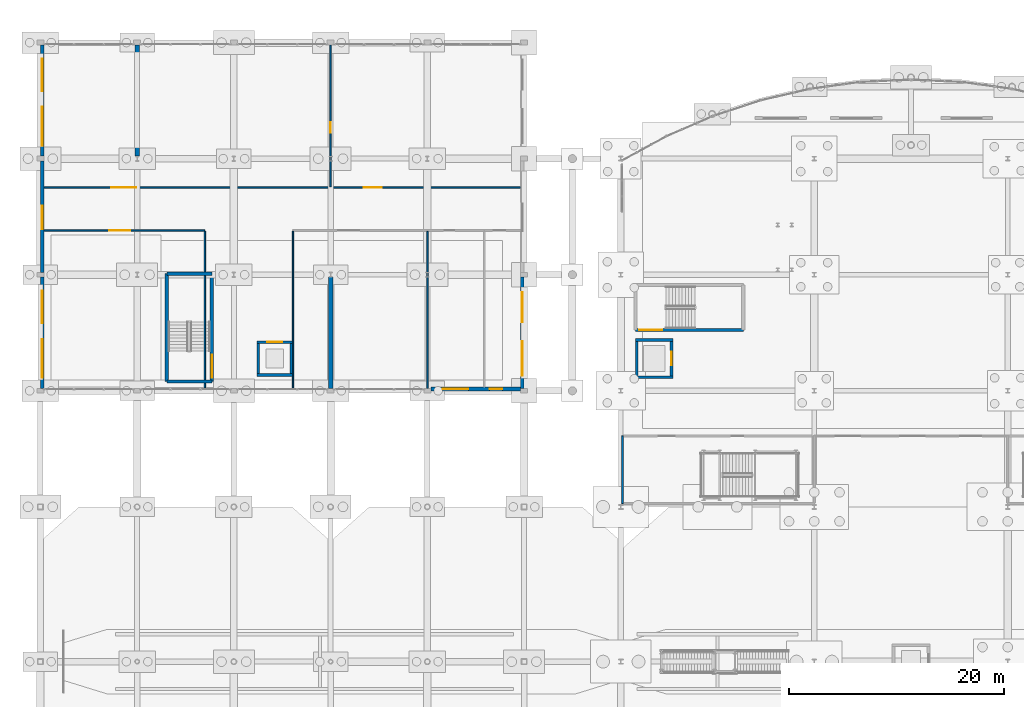
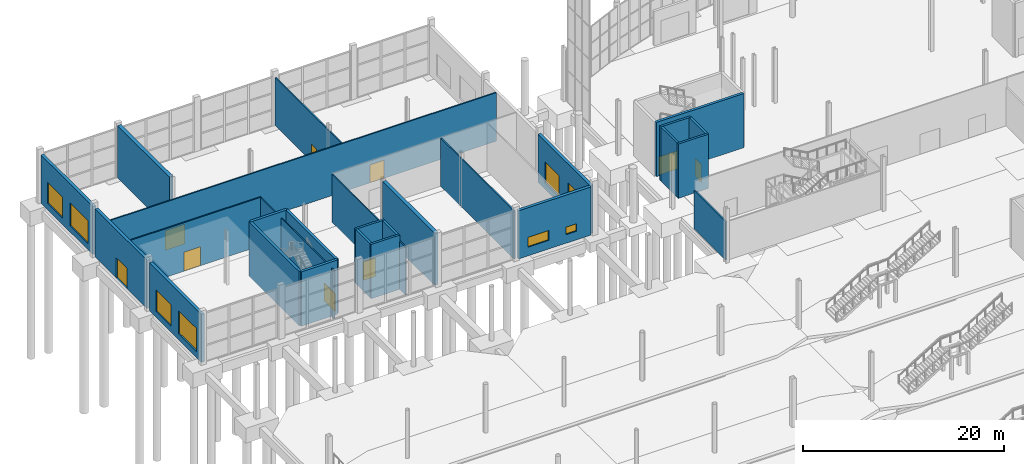
# One storey, part 88 of 115: 27 walls, 9 doors, 8 windows, 17 openings.
"""IFC4 building model written with IfcOpenShell, lengths in metres."""

from ifc_helpers import new_model, si_unit, direction, frame, frame_2d, origin, place, context, subcontext, project, spatial, rectangle, extrude, material, layer, layer_set, type_object, element, fill, save


model = new_model("IFC4")

# Units and contexts
model_context = context("Model", 3, precision=1e-05, world=origin(), true_north=direction((0.0, 1.0)))
body_context = subcontext(model_context, "Body", "Model", "MODEL_VIEW")
ifc_project = project(units=[si_unit("LENGTHUNIT", "METRE"), si_unit("AREAUNIT", "SQUARE_METRE"), si_unit("VOLUMEUNIT", "CUBIC_METRE"), si_unit("PLANEANGLEUNIT", "RADIAN"), si_unit("MASSUNIT", "GRAM", prefix="KILO")], contexts=[model_context])

# Site, building, storey
site_placement = place(None, origin())
site = spatial("IfcSite", under=ifc_project, at=site_placement, CompositionType="ELEMENT")
building_placement = place(site_placement, origin())
building = spatial("IfcBuilding", under=site, at=building_placement, Name="Tamarisk Ironworks Central Station", CompositionType="ELEMENT")
storey_placement = place(building_placement, origin())
storey = spatial("IfcBuildingStorey", under=building, at=storey_placement, Name="L00", CompositionType="ELEMENT", Elevation=0.0)

# Wall, openings, windows
ifc_material_1 = material(Name="Clay facing brickwork and mortar", Category="masonry")
ifc_layer_1 = layer(ifc_material_1, 0.340087890625)
ifc_layer_set_1 = layer_set([ifc_layer_1], Name="Clay facing brickwork and mortar")
wall_type_1 = type_object("IfcWallType", Name="WL-BR340", PredefinedType="STANDARD", material=ifc_layer_set_1)
wall_1_placement = place(storey_placement, frame((36.322998046875, 90.169921875, 0.0), z_axis=(0.0, 0.0, 1.0), x_axis=(1.0, 0.0, 0.0)))
wall_1 = element("IfcWall", 1, at=wall_1_placement, inside=storey, type_object=wall_type_1, Name="L00 brick facade wall 0023", PredefinedType="STANDARD", context=body_context, shape_type="SweptSolid", body=[
    extrude(rectangle(XDim=8.35400390625, YDim=0.340087890625, at=frame_2d((4.177001953125, 0.0))), origin(), (0.0, 0.0, 1.0), 5.85009765625),
])
opening_1_placement = place(wall_1_placement, frame((1.087890625, 0.0, 1.050048828125)))
opening_1 = element("IfcOpeningElement", 2, at=opening_1_placement, cuts=wall_1, Name="Opening W17", PredefinedType="OPENING", context=body_context, shape_type="SweptSolid", body=[
    extrude(rectangle(XDim=2.39990234375, YDim=1.199951171875, at=frame_2d((1.199951171875, 0.60009765625))), frame((0.0, 0.18212890625, 0.0), z_axis=(0.0, -1.0, 0.0), x_axis=(1.0, 0.0, 0.0)), (0.0, 0.0, 1.0), 0.364013671875),
])
opening_2_placement = place(wall_1_placement, frame((5.465087890625, 0.0, 1.050048828125)))
opening_2 = element("IfcOpeningElement", 3, at=opening_2_placement, cuts=wall_1, Name="Opening W19", PredefinedType="OPENING", context=body_context, shape_type="SweptSolid", body=[
    extrude(rectangle(XDim=1.199951171875, YDim=0.89990234375, at=frame_2d((0.60009765625, 0.449951171875))), frame((0.0, 0.18212890625, 0.0), z_axis=(0.0, -1.0, 0.0), x_axis=(1.0, 0.0, 0.0)), (0.0, 0.0, 1.0), 0.364013671875),
])
ifc_material_2 = material(Name="Laminated solar-control low-E glass", Category="glass")
window_type_1 = type_object("IfcWindowType", Name="WN-17", PartitioningType="SINGLE_PANEL", PredefinedType="WINDOW", material=ifc_material_2)
window_1_placement = place(opening_1_placement, origin())
window_1 = element("IfcWindow", 4, at=window_1_placement, inside=storey, type_object=window_type_1, Name="L00 exterior window 0020", OverallHeight=1.199951171875, OverallWidth=2.39990234375, PartitioningType="DOUBLE_PANEL_VERTICAL", PredefinedType="WINDOW", context=body_context, shape_type="SweptSolid", body=[
    extrude(rectangle(XDim=2.39990234375, YDim=1.199951171875, at=frame_2d((1.199951171875, 0.60009765625))), frame((0.0, 0.030029296875, 0.0), z_axis=(0.0, -1.0, 0.0), x_axis=(1.0, 0.0, 0.0)), (0.0, 0.0, 1.0), 0.06005859375),
])
fill(opening_1, window_1)
window_type_2 = type_object("IfcWindowType", Name="WN-19", PartitioningType="SINGLE_PANEL", PredefinedType="WINDOW", material=ifc_material_2)
window_2_placement = place(opening_2_placement, origin())
window_2 = element("IfcWindow", 5, at=window_2_placement, inside=storey, type_object=window_type_2, Name="L00 exterior window 0021", OverallHeight=0.89990234375, OverallWidth=1.199951171875, PartitioningType="DOUBLE_PANEL_VERTICAL", PredefinedType="WINDOW", context=body_context, shape_type="SweptSolid", body=[
    extrude(rectangle(XDim=1.199951171875, YDim=0.89990234375, at=frame_2d((0.60009765625, 0.449951171875))), frame((0.0, 0.030029296875, 0.0), z_axis=(0.0, -1.0, 0.0), x_axis=(1.0, 0.0, 0.0)), (0.0, 0.0, 1.0), 0.06005859375),
])
fill(opening_2, window_2)

wall_2_placement = place(storey_placement, frame((0.169921875, 90.222900390625, 0.0), z_axis=(0.0, 0.0, 1.0), x_axis=(0.0, 1.0, 0.0)))
wall_2 = element("IfcWall", 6, at=wall_2_placement, inside=storey, type_object=wall_type_1, Name="L00 brick facade wall 0024", PredefinedType="STANDARD", context=body_context, shape_type="SweptSolid", body=[
    extrude(rectangle(XDim=10.35400390625, YDim=0.340087890625, at=frame_2d((5.177001953125, 0.0))), origin(), (0.0, 0.0, 1.0), 5.85009765625),
])
opening_3_placement = place(wall_2_placement, frame((0.988037109375, 0.0, 0.75)))
opening_3 = element("IfcOpeningElement", 7, at=opening_3_placement, cuts=wall_2, Name="Opening W01", PredefinedType="OPENING", context=body_context, shape_type="SweptSolid", body=[
    extrude(rectangle(XDim=3.60009765625, YDim=2.800048828125, at=frame_2d((1.800048828125, 1.39990234375))), frame((0.0, 0.18212890625, 0.0), z_axis=(0.0, -1.0, 0.0), x_axis=(1.0, 0.0, 0.0)), (0.0, 0.0, 1.0), 0.364013671875),
])
opening_4_placement = place(wall_2_placement, frame((6.06494140625, 0.0, 0.75)))
opening_4 = element("IfcOpeningElement", 8, at=opening_4_placement, cuts=wall_2, Name="Opening W03", PredefinedType="OPENING", context=body_context, shape_type="SweptSolid", body=[
    extrude(rectangle(XDim=3.0, YDim=2.60009765625, at=frame_2d((1.5, 1.300048828125))), frame((0.0, 0.18212890625, 0.0), z_axis=(0.0, -1.0, 0.0), x_axis=(1.0, 0.0, 0.0)), (0.0, 0.0, 1.0), 0.364013671875),
])
window_type_3 = type_object("IfcWindowType", Name="WN-01", PartitioningType="SINGLE_PANEL", PredefinedType="WINDOW", material=ifc_material_2)
window_3_placement = place(opening_3_placement, origin())
window_3 = element("IfcWindow", 9, at=window_3_placement, inside=storey, type_object=window_type_3, Name="L00 exterior window 0022", OverallHeight=2.800048828125, OverallWidth=3.60009765625, PartitioningType="DOUBLE_PANEL_VERTICAL", PredefinedType="WINDOW", context=body_context, shape_type="SweptSolid", body=[
    extrude(rectangle(XDim=3.60009765625, YDim=2.800048828125, at=frame_2d((1.800048828125, 1.39990234375))), frame((0.0, 0.030029296875, 0.0), z_axis=(0.0, -1.0, 0.0), x_axis=(1.0, 0.0, 0.0)), (0.0, 0.0, 1.0), 0.06005859375),
])
fill(opening_3, window_3)
window_type_4 = type_object("IfcWindowType", Name="WN-03", PartitioningType="SINGLE_PANEL", PredefinedType="WINDOW", material=ifc_material_2)
window_4_placement = place(opening_4_placement, origin())
window_4 = element("IfcWindow", 10, at=window_4_placement, inside=storey, type_object=window_type_4, Name="L00 exterior window 0023", OverallHeight=2.60009765625, OverallWidth=3.0, PartitioningType="DOUBLE_PANEL_VERTICAL", PredefinedType="WINDOW", context=body_context, shape_type="SweptSolid", body=[
    extrude(rectangle(XDim=3.0, YDim=2.60009765625, at=frame_2d((1.5, 1.300048828125))), frame((0.0, 0.030029296875, 0.0), z_axis=(0.0, -1.0, 0.0), x_axis=(1.0, 0.0, 0.0)), (0.0, 0.0, 1.0), 0.06005859375),
])
fill(opening_4, window_4)

wall_3_placement = place(storey_placement, frame((44.830078125, 90.222900390625, 0.0), z_axis=(0.0, 0.0, 1.0), x_axis=(0.0, 1.0, 0.0)))
wall_3 = element("IfcWall", 11, at=wall_3_placement, inside=storey, type_object=wall_type_1, Name="L00 brick facade wall 0025", PredefinedType="STANDARD", context=body_context, shape_type="SweptSolid", body=[
    extrude(rectangle(XDim=10.35400390625, YDim=0.340087890625, at=frame_2d((5.177001953125, 0.0))), origin(), (0.0, 0.0, 1.0), 5.85009765625),
])
opening_5_placement = place(wall_3_placement, frame((1.18798828125, 0.0, 0.75)))
opening_5 = element("IfcOpeningElement", 12, at=opening_5_placement, cuts=wall_3, Name="Opening W02", PredefinedType="OPENING", context=body_context, shape_type="SweptSolid", body=[
    extrude(rectangle(XDim=3.199951171875, YDim=2.800048828125, at=frame_2d((1.60009765625, 1.39990234375))), frame((0.0, 0.18212890625, 0.0), z_axis=(0.0, -1.0, 0.0), x_axis=(1.0, 0.0, 0.0)), (0.0, 0.0, 1.0), 0.364013671875),
])
opening_6_placement = place(wall_3_placement, frame((6.1650390625, 0.0, 0.75)))
opening_6 = element("IfcOpeningElement", 13, at=opening_6_placement, cuts=wall_3, Name="Opening W04", PredefinedType="OPENING", context=body_context, shape_type="SweptSolid", body=[
    extrude(rectangle(XDim=2.800048828125, YDim=2.60009765625, at=frame_2d((1.39990234375, 1.300048828125))), frame((0.0, 0.18212890625, 0.0), z_axis=(0.0, -1.0, 0.0), x_axis=(1.0, 0.0, 0.0)), (0.0, 0.0, 1.0), 0.364013671875),
])
window_type_5 = type_object("IfcWindowType", Name="WN-02", PartitioningType="SINGLE_PANEL", PredefinedType="WINDOW", material=ifc_material_2)
window_5_placement = place(opening_5_placement, origin())
window_5 = element("IfcWindow", 14, at=window_5_placement, inside=storey, type_object=window_type_5, Name="L00 exterior window 0024", OverallHeight=2.800048828125, OverallWidth=3.199951171875, PartitioningType="DOUBLE_PANEL_VERTICAL", PredefinedType="WINDOW", context=body_context, shape_type="SweptSolid", body=[
    extrude(rectangle(XDim=3.199951171875, YDim=2.800048828125, at=frame_2d((1.60009765625, 1.39990234375))), frame((0.0, 0.030029296875, 0.0), z_axis=(0.0, -1.0, 0.0), x_axis=(1.0, 0.0, 0.0)), (0.0, 0.0, 1.0), 0.06005859375),
])
fill(opening_5, window_5)
window_type_6 = type_object("IfcWindowType", Name="WN-04", PartitioningType="SINGLE_PANEL", PredefinedType="WINDOW", material=ifc_material_2)
window_6_placement = place(opening_6_placement, origin())
window_6 = element("IfcWindow", 15, at=window_6_placement, inside=storey, type_object=window_type_6, Name="L00 exterior window 0025", OverallHeight=2.60009765625, OverallWidth=2.800048828125, PartitioningType="DOUBLE_PANEL_VERTICAL", PredefinedType="WINDOW", context=body_context, shape_type="SweptSolid", body=[
    extrude(rectangle(XDim=2.800048828125, YDim=2.60009765625, at=frame_2d((1.39990234375, 1.300048828125))), frame((0.0, 0.030029296875, 0.0), z_axis=(0.0, -1.0, 0.0), x_axis=(1.0, 0.0, 0.0)), (0.0, 0.0, 1.0), 0.06005859375),
])
fill(opening_6, window_6)

# Wall, opening, door
wall_4_placement = place(storey_placement, frame((0.169921875, 101.02294921875, 0.0), z_axis=(0.0, 0.0, 1.0), x_axis=(0.0, 1.0, 0.0)))
wall_4 = element("IfcWall", 16, at=wall_4_placement, inside=storey, type_object=wall_type_1, Name="L00 brick facade wall 0026", PredefinedType="STANDARD", context=body_context, shape_type="SweptSolid", body=[
    extrude(rectangle(XDim=10.35400390625, YDim=0.340087890625, at=frame_2d((5.177001953125, 0.0))), origin(), (0.0, 0.0, 1.0), 5.85009765625),
])
opening_7_placement = place(wall_4_placement, frame((4.0, 0.0, 0.0048828125)))
opening_7 = element("IfcOpeningElement", 17, at=opening_7_placement, cuts=wall_4, Name="Opening ED06", PredefinedType="OPENING", context=body_context, shape_type="SweptSolid", body=[
    extrude(rectangle(XDim=2.199951171875, YDim=2.449951171875, at=frame_2d((1.10009765625, 1.22509765625))), frame((0.0, 0.18212890625, 0.0), z_axis=(0.0, -1.0, 0.0), x_axis=(1.0, 0.0, 0.0)), (0.0, 0.0, 1.0), 0.364013671875),
])
ifc_material_3 = material(Name="Anodized aluminium alloy 6063-T6", Category="aluminium")
door_type_1 = type_object("IfcDoorType", Name="DR-ED06", OperationType="NOTDEFINED", PredefinedType="DOOR", material=ifc_material_3)
door_1_placement = place(opening_7_placement, origin())
door_1 = element("IfcDoor", 18, at=door_1_placement, inside=storey, type_object=door_type_1, Name="L00 exterior entrance door 0007", OperationType="SINGLE_SWING_RIGHT", OverallHeight=2.449951171875, OverallWidth=2.199951171875, PredefinedType="DOOR", context=body_context, shape_type="SweptSolid", body=[
    extrude(rectangle(XDim=2.199951171875, YDim=2.449951171875, at=frame_2d((1.10009765625, 1.22509765625))), frame((0.0, 0.02490234375, 0.0), z_axis=(0.0, -1.0, 0.0), x_axis=(1.0, 0.0, 0.0)), (0.0, 0.0, 1.0), 0.050048828125),
])
fill(opening_7, door_1)

# Wall, openings, windows
wall_5_placement = place(storey_placement, frame((0.169921875, 111.822998046875, 0.0), z_axis=(0.0, 0.0, 1.0), x_axis=(0.0, 1.0, 0.0)))
wall_5 = element("IfcWall", 19, at=wall_5_placement, inside=storey, type_object=wall_type_1, Name="L00 brick facade wall 0028", PredefinedType="STANDARD", context=body_context, shape_type="SweptSolid", body=[
    extrude(rectangle(XDim=10.35400390625, YDim=0.340087890625, at=frame_2d((5.177001953125, 0.0))), origin(), (0.0, 0.0, 1.0), 5.85009765625),
])
opening_8_placement = place(wall_5_placement, frame((0.989013671875, 0.0, 0.75)))
opening_8 = element("IfcOpeningElement", 20, at=opening_8_placement, cuts=wall_5, Name="Opening W01", PredefinedType="OPENING", context=body_context, shape_type="SweptSolid", body=[
    extrude(rectangle(XDim=3.60009765625, YDim=2.800048828125, at=frame_2d((1.800048828125, 1.39990234375))), frame((0.0, 0.18212890625, 0.0), z_axis=(0.0, -1.0, 0.0), x_axis=(1.0, 0.0, 0.0)), (0.0, 0.0, 1.0), 0.364013671875),
])
opening_9_placement = place(wall_5_placement, frame((6.06591796875, 0.0, 0.75)))
opening_9 = element("IfcOpeningElement", 21, at=opening_9_placement, cuts=wall_5, Name="Opening W03", PredefinedType="OPENING", context=body_context, shape_type="SweptSolid", body=[
    extrude(rectangle(XDim=3.0, YDim=2.60009765625, at=frame_2d((1.5, 1.300048828125))), frame((0.0, 0.18212890625, 0.0), z_axis=(0.0, -1.0, 0.0), x_axis=(1.0, 0.0, 0.0)), (0.0, 0.0, 1.0), 0.364013671875),
])
window_7_placement = place(opening_8_placement, origin())
window_7 = element("IfcWindow", 22, at=window_7_placement, inside=storey, type_object=window_type_3, Name="L00 exterior window 0026", OverallHeight=2.800048828125, OverallWidth=3.60009765625, PartitioningType="DOUBLE_PANEL_VERTICAL", PredefinedType="WINDOW", context=body_context, shape_type="SweptSolid", body=[
    extrude(rectangle(XDim=3.60009765625, YDim=2.800048828125, at=frame_2d((1.800048828125, 1.39990234375))), frame((0.0, 0.030029296875, 0.0), z_axis=(0.0, -1.0, 0.0), x_axis=(1.0, 0.0, 0.0)), (0.0, 0.0, 1.0), 0.06005859375),
])
fill(opening_8, window_7)
window_8_placement = place(opening_9_placement, origin())
window_8 = element("IfcWindow", 23, at=window_8_placement, inside=storey, type_object=window_type_4, Name="L00 exterior window 0027", OverallHeight=2.60009765625, OverallWidth=3.0, PartitioningType="DOUBLE_PANEL_VERTICAL", PredefinedType="WINDOW", context=body_context, shape_type="SweptSolid", body=[
    extrude(rectangle(XDim=3.0, YDim=2.60009765625, at=frame_2d((1.5, 1.300048828125))), frame((0.0, 0.030029296875, 0.0), z_axis=(0.0, -1.0, 0.0), x_axis=(1.0, 0.0, 0.0)), (0.0, 0.0, 1.0), 0.06005859375),
])
fill(opening_9, window_8)

# Wall, opening, door
ifc_material_4 = material(Name="Concrete C50/60", Category="concrete")
ifc_layer_2 = layer(ifc_material_4, 0.300048828125)
ifc_layer_set_2 = layer_set([ifc_layer_2], Name="Concrete C50/60")
wall_type_2 = type_object("IfcWallType", Name="WL-CW300", PredefinedType="SOLIDWALL", material=ifc_layer_set_2)
wall_6_placement = place(storey_placement, frame((55.35498046875, 95.655029296875, 0.0), z_axis=(0.0, 0.0, 1.0), x_axis=(1.0, 0.0, 0.0)))
wall_6 = element("IfcWall", 24, at=wall_6_placement, inside=storey, type_object=wall_type_2, Name="ST-C3 core wall L (L00)", PredefinedType="SOLIDWALL", context=body_context, shape_type="SweptSolid", body=[
    extrude(rectangle(XDim=10.0400390625, YDim=0.300048828125, at=frame_2d((5.02001953125, 0.0))), origin(), (0.0, 0.0, 1.0), 6.60009765625),
])
opening_10_placement = place(wall_6_placement, frame((0.35009765625, 0.0, 0.0048828125)))
opening_10 = element("IfcOpeningElement", 25, at=opening_10_placement, cuts=wall_6, Name="Opening FD01", PredefinedType="OPENING", context=body_context, shape_type="SweptSolid", body=[
    extrude(rectangle(XDim=2.14990234375, YDim=2.199951171875, at=frame_2d((1.074951171875, 1.10009765625))), frame((0.0, 0.162109375, 0.0), z_axis=(0.0, -1.0, 0.0), x_axis=(1.0, 0.0, 0.0)), (0.0, 0.0, 1.0), 0.323974609375),
])
ifc_material_5 = material(Name="Galvanised hollow-metal door steel", Category="steel")
door_type_2 = type_object("IfcDoorType", Name="DR-FD01", OperationType="NOTDEFINED", PredefinedType="DOOR", material=ifc_material_5)
door_2_placement = place(opening_10_placement, origin())
door_2 = element("IfcDoor", 26, at=door_2_placement, inside=storey, type_object=door_type_2, Name="ST-C3 fire stair door (L00)", OperationType="SINGLE_SWING_LEFT", OverallHeight=2.199951171875, OverallWidth=2.14990234375, PredefinedType="DOOR", context=body_context, shape_type="SweptSolid", body=[
    extrude(rectangle(XDim=2.14990234375, YDim=2.199951171875, at=frame_2d((1.074951171875, 1.10009765625))), frame((0.0, 0.02490234375, 0.0), z_axis=(0.0, -1.0, 0.0), x_axis=(1.0, 0.0, 0.0)), (0.0, 0.0, 1.0), 0.050048828125),
])
fill(opening_10, door_2)

wall_7_placement = place(storey_placement, frame((15.945068359375, 90.85498046875, 0.0), z_axis=(0.0, 0.0, 1.0), x_axis=(0.0, 1.0, 0.0)))
wall_7 = element("IfcWall", 27, at=wall_7_placement, inside=storey, type_object=wall_type_2, Name="ST-C6 core wall L (L00)", PredefinedType="SOLIDWALL", context=body_context, shape_type="SweptSolid", body=[
    extrude(rectangle(XDim=10.0400390625, YDim=0.300048828125, at=frame_2d((5.02001953125, 0.0))), origin(), (0.0, 0.0, 1.0), 6.60009765625),
])
opening_11_placement = place(wall_7_placement, frame((0.35009765625, 0.0, 0.0048828125)))
opening_11 = element("IfcOpeningElement", 28, at=opening_11_placement, cuts=wall_7, Name="Opening FD01", PredefinedType="OPENING", context=body_context, shape_type="SweptSolid", body=[
    extrude(rectangle(XDim=2.14990234375, YDim=2.199951171875, at=frame_2d((1.074951171875, 1.10009765625))), frame((0.0, 0.162109375, 0.0), z_axis=(0.0, -1.0, 0.0), x_axis=(1.0, 0.0, 0.0)), (0.0, 0.0, 1.0), 0.323974609375),
])
door_3_placement = place(opening_11_placement, origin())
door_3 = element("IfcDoor", 29, at=door_3_placement, inside=storey, type_object=door_type_2, Name="ST-C6 fire stair door (L00)", OperationType="SINGLE_SWING_LEFT", OverallHeight=2.199951171875, OverallWidth=2.14990234375, PredefinedType="DOOR", context=body_context, shape_type="SweptSolid", body=[
    extrude(rectangle(XDim=2.14990234375, YDim=2.199951171875, at=frame_2d((1.074951171875, 1.10009765625))), frame((0.0, 0.02490234375, 0.0), z_axis=(0.0, -1.0, 0.0), x_axis=(1.0, 0.0, 0.0)), (0.0, 0.0, 1.0), 0.050048828125),
])
fill(opening_11, door_3)

# Walls
wall_8_placement = place(storey_placement, frame((11.7548828125, 90.85498046875, 0.0), z_axis=(0.0, 0.0, 1.0), x_axis=(0.0, 1.0, 0.0)))
element("IfcWall", 30, at=wall_8_placement, inside=storey, type_object=wall_type_2, Name="ST-C6 core wall R (L00)", PredefinedType="SOLIDWALL", context=body_context, shape_type="SweptSolid", body=[
    extrude(rectangle(XDim=10.0400390625, YDim=0.300048828125, at=frame_2d((5.02001953125, 0.0))), origin(), (0.0, 0.0, 1.0), 6.60009765625),
])
for number, where, z_axis, x_axis, name in (
    (31, (15.945068359375, 90.85498046875, 0.0), (0.0, 0.0, 1.0), (-1.0, 0.0, 0.0), "ST-C6 core wall N (L00)"),
    (32, (15.945068359375, 100.89501953125, 0.0), (0.0, 0.0, 1.0), (-1.0, 0.0, 0.0), "ST-C6 core wall F (L00)"),
):
    element("IfcWall", number, at=place(storey_placement, frame(where, z_axis=z_axis, x_axis=x_axis)), inside=storey, type_object=wall_type_2, Name=name, PredefinedType="SOLIDWALL", context=body_context, shape_type="SweptSolid", body=[
        extrude(rectangle(XDim=4.190185546875, YDim=0.300048828125, at=frame_2d((2.09521484375, 0.0))), origin(), (0.0, 0.0, 1.0), 6.60009765625),
    ])
ifc_material_6 = material(Name="Gypsum plasterboard acoustic partition")
ifc_layer_3 = layer(ifc_material_6, 0.1201171875)
ifc_layer_set_3 = layer_set([ifc_layer_3], Name="Gypsum plasterboard acoustic partition")
wall_type_3 = type_object("IfcWallType", Name="WL-PT120", PredefinedType="PARTITIONING", material=ifc_layer_set_3)
for number, where, z_axis, x_axis, name in (
    (33, (15.300048828125, 90.238037109375, 0.0), (0.0, 0.0, 1.0), (0.0, 1.0, 0.0), "L00 interior partition 0022"),
    (34, (23.5, 90.238037109375, 0.0), (0.0, 0.0, 1.0), (0.0, 1.0, 0.0), "L00 interior partition 0023"),
):
    element("IfcWall", number, at=place(storey_placement, frame(where, z_axis=z_axis, x_axis=x_axis)), inside=storey, type_object=wall_type_3, Name=name, PredefinedType="PARTITIONING", context=body_context, shape_type="SweptSolid", body=[
        extrude(rectangle(XDim=14.5888671875, YDim=0.1201171875, at=frame_2d((7.29443359375, 0.0))), origin(), (0.0, 0.0, 1.0), 5.840087890625),
    ])

# Wall, opening, door
ifc_layer_4 = layer(ifc_material_6, 0.139892578125)
ifc_layer_set_4 = layer_set([ifc_layer_4], Name="Gypsum plasterboard acoustic partition")
wall_type_4 = type_object("IfcWallType", Name="WL-PT140", PredefinedType="PARTITIONING", material=ifc_layer_set_4)
wall_9_placement = place(storey_placement, frame((27.0, 108.972900390625, 0.0), z_axis=(0.0, 0.0, 1.0), x_axis=(0.0, 1.0, 0.0)))
wall_9 = element("IfcWall", 35, at=wall_9_placement, inside=storey, type_object=wall_type_4, Name="L00 interior partition 0024", PredefinedType="PARTITIONING", context=body_context, shape_type="SweptSolid", body=[
    extrude(rectangle(XDim=13.2041015625, YDim=0.139892578125, at=frame_2d((6.60205078125, 0.0))), origin(), (0.0, 0.0, 1.0), 5.840087890625),
])
opening_12_placement = place(wall_9_placement, frame((5.027099609375, 0.0, 0.0048828125)))
opening_12 = element("IfcOpeningElement", 36, at=opening_12_placement, cuts=wall_9, Name="Opening D06", PredefinedType="OPENING", context=body_context, shape_type="SweptSolid", body=[
    extrude(rectangle(XDim=1.0, YDim=2.10009765625, at=frame_2d((0.5, 1.050048828125))), frame((0.0, 0.08203125, 0.0), z_axis=(0.0, -1.0, 0.0), x_axis=(1.0, 0.0, 0.0)), (0.0, 0.0, 1.0), 0.163818359375),
])
ifc_material_7 = material(Name="FSC certified tropical hardwood timber", Category="wood")
door_type_3 = type_object("IfcDoorType", Name="DR-ID06", OperationType="NOTDEFINED", PredefinedType="DOOR", material=ifc_material_7)
door_4_placement = place(opening_12_placement, origin())
door_4 = element("IfcDoor", 37, at=door_4_placement, inside=storey, type_object=door_type_3, Name="L00 room door 0021", OperationType="SINGLE_SWING_LEFT", OverallHeight=2.10009765625, OverallWidth=1.0, PredefinedType="DOOR", context=body_context, shape_type="SweptSolid", body=[
    extrude(rectangle(XDim=1.0, YDim=2.10009765625, at=frame_2d((0.5, 1.050048828125))), frame((0.0, 0.02490234375, 0.0), z_axis=(0.0, -1.0, 0.0), x_axis=(1.0, 0.0, 0.0)), (0.0, 0.0, 1.0), 0.050048828125),
])
fill(opening_12, door_4)

ifc_layer_5 = layer(ifc_material_6, 0.14990234375)
ifc_layer_set_5 = layer_set([ifc_layer_5], Name="Gypsum plasterboard acoustic partition")
wall_type_5 = type_object("IfcWallType", Name="WL-PT150", PredefinedType="PARTITIONING", material=ifc_layer_set_5)
wall_10_placement = place(storey_placement, frame((0.337890625, 104.89990234375, 0.0), z_axis=(0.0, 0.0, 1.0), x_axis=(1.0, 0.0, 0.0)))
wall_10 = element("IfcWall", 38, at=wall_10_placement, inside=storey, type_object=wall_type_5, Name="L00 interior partition 0019", PredefinedType="PARTITIONING", context=body_context, shape_type="SweptSolid", body=[
    extrude(rectangle(XDim=14.962158203125, YDim=0.14990234375, at=frame_2d((7.48095703125, 0.0))), origin(), (0.0, 0.0, 1.0), 5.889892578125),
])
opening_13_placement = place(wall_10_placement, frame((6.06201171875, 0.0, 0.0048828125)))
opening_13 = element("IfcOpeningElement", 39, at=opening_13_placement, cuts=wall_10, Name="Opening D02", PredefinedType="OPENING", context=body_context, shape_type="SweptSolid", body=[
    extrude(rectangle(XDim=1.949951171875, YDim=2.300048828125, at=frame_2d((0.97509765625, 1.14990234375))), frame((0.0, 0.0869140625, 0.0), z_axis=(0.0, -1.0, 0.0), x_axis=(1.0, 0.0, 0.0)), (0.0, 0.0, 1.0), 0.173828125),
])
door_type_4 = type_object("IfcDoorType", Name="DR-ID02", OperationType="NOTDEFINED", PredefinedType="DOOR", material=ifc_material_3)
door_5_placement = place(opening_13_placement, origin())
door_5 = element("IfcDoor", 40, at=door_5_placement, inside=storey, type_object=door_type_4, Name="L00 room door 0015", OperationType="DOUBLE_DOOR_SINGLE_SWING", OverallHeight=2.300048828125, OverallWidth=1.949951171875, PredefinedType="DOOR", context=body_context, shape_type="SweptSolid", body=[
    extrude(rectangle(XDim=1.949951171875, YDim=2.300048828125, at=frame_2d((0.97509765625, 1.14990234375))), frame((0.0, 0.02490234375, 0.0), z_axis=(0.0, -1.0, 0.0), x_axis=(1.0, 0.0, 0.0)), (0.0, 0.0, 1.0), 0.050048828125),
])
fill(opening_13, door_5)

# Wall, openings, doors
wall_11_placement = place(storey_placement, frame((0.337890625, 108.89990234375, 0.0), z_axis=(0.0, 0.0, 1.0), x_axis=(1.0, 0.0, 0.0)))
wall_11 = element("IfcWall", 41, at=wall_11_placement, inside=storey, type_object=wall_type_5, Name="L00 interior partition 0021", PredefinedType="PARTITIONING", context=body_context, shape_type="SweptSolid", body=[
    extrude(rectangle(XDim=44.32421875, YDim=0.14990234375, at=frame_2d((22.162109375, 0.0))), origin(), (0.0, 0.0, 1.0), 5.889892578125),
])
opening_14_placement = place(wall_11_placement, frame((6.261962890625, 0.0, 0.0048828125)))
opening_14 = element("IfcOpeningElement", 42, at=opening_14_placement, cuts=wall_11, Name="Opening D01", PredefinedType="OPENING", context=body_context, shape_type="SweptSolid", body=[
    extrude(rectangle(XDim=2.300048828125, YDim=2.39990234375, at=frame_2d((1.14990234375, 1.199951171875))), frame((0.0, 0.0869140625, 0.0), z_axis=(0.0, -1.0, 0.0), x_axis=(1.0, 0.0, 0.0)), (0.0, 0.0, 1.0), 0.173828125),
])
opening_15_placement = place(wall_11_placement, frame((29.761962890625, 0.0, 0.0048828125)))
opening_15 = element("IfcOpeningElement", 43, at=opening_15_placement, cuts=wall_11, Name="Opening D03", PredefinedType="OPENING", context=body_context, shape_type="SweptSolid", body=[
    extrude(rectangle(XDim=1.64990234375, YDim=2.199951171875, at=frame_2d((0.824951171875, 1.10009765625))), frame((0.0, 0.0869140625, 0.0), z_axis=(0.0, -1.0, 0.0), x_axis=(1.0, 0.0, 0.0)), (0.0, 0.0, 1.0), 0.173828125),
])
door_type_5 = type_object("IfcDoorType", Name="DR-ID01", OperationType="NOTDEFINED", PredefinedType="DOOR", material=ifc_material_3)
door_6_placement = place(opening_14_placement, origin())
door_6 = element("IfcDoor", 44, at=door_6_placement, inside=storey, type_object=door_type_5, Name="L00 room door 0019", OperationType="DOUBLE_DOOR_SINGLE_SWING", OverallHeight=2.39990234375, OverallWidth=2.300048828125, PredefinedType="DOOR", context=body_context, shape_type="SweptSolid", body=[
    extrude(rectangle(XDim=2.300048828125, YDim=2.39990234375, at=frame_2d((1.14990234375, 1.199951171875))), frame((0.0, 0.02490234375, 0.0), z_axis=(0.0, -1.0, 0.0), x_axis=(1.0, 0.0, 0.0)), (0.0, 0.0, 1.0), 0.050048828125),
])
fill(opening_14, door_6)
door_type_6 = type_object("IfcDoorType", Name="DR-ID03", OperationType="NOTDEFINED", PredefinedType="DOOR", material=ifc_material_7)
door_7_placement = place(opening_15_placement, origin())
door_7 = element("IfcDoor", 45, at=door_7_placement, inside=storey, type_object=door_type_6, Name="L00 room door 0020", OperationType="DOUBLE_DOOR_SINGLE_SWING", OverallHeight=2.199951171875, OverallWidth=1.64990234375, PredefinedType="DOOR", context=body_context, shape_type="SweptSolid", body=[
    extrude(rectangle(XDim=1.64990234375, YDim=2.199951171875, at=frame_2d((0.824951171875, 1.10009765625))), frame((0.0, 0.02490234375, 0.0), z_axis=(0.0, -1.0, 0.0), x_axis=(1.0, 0.0, 0.0)), (0.0, 0.0, 1.0), 0.050048828125),
])
fill(opening_15, door_7)

# Walls
wall_12_placement = place(storey_placement, frame((36.0, 90.222900390625, 0.0), z_axis=(0.0, 0.0, 1.0), x_axis=(0.0, 1.0, 0.0)))
element("IfcWall", 46, at=wall_12_placement, inside=storey, type_object=wall_type_5, Name="L00 interior partition 0025", PredefinedType="PARTITIONING", context=body_context, shape_type="SweptSolid", body=[
    extrude(rectangle(XDim=14.60400390625, YDim=0.14990234375, at=frame_2d((7.302001953125, 0.0))), origin(), (0.0, 0.0, 1.0), 5.840087890625),
])
ifc_layer_6 = layer(ifc_material_6, 0.159912109375)
ifc_layer_set_6 = layer_set([ifc_layer_6], Name="Gypsum plasterboard acoustic partition")
wall_type_6 = type_object("IfcWallType", Name="WL-PT160", PredefinedType="PARTITIONING", material=ifc_layer_set_6)
wall_13_placement = place(storey_placement, frame((54.14990234375, 79.5, 0.0), z_axis=(0.0, 0.0, 1.0), x_axis=(0.0, 1.0, 0.0)))
element("IfcWall", 47, at=wall_13_placement, inside=storey, type_object=wall_type_6, Name="L00 interior partition 0003", PredefinedType="PARTITIONING", context=body_context, shape_type="SweptSolid", body=[
    extrude(rectangle(XDim=6.300048828125, YDim=0.159912109375, at=frame_2d((3.14990234375, 0.0))), origin(), (0.0, 0.0, 1.0), 4.679931640625),
])
ifc_layer_7 = layer(ifc_material_4, 0.25)
ifc_layer_set_7 = layer_set([ifc_layer_7], Name="Concrete C50/60")
wall_type_7 = type_object("IfcWallType", Name="WL-SH250", PredefinedType="SOLIDWALL", material=ifc_layer_set_7)
for number, where, z_axis, x_axis, name in (
    (48, (55.35009765625, 91.27490234375, 0.0), (0.0, 0.0, 1.0), (1.0, 0.0, 0.0), "LF-C1 lift shaft wall S (L00)"),
    (49, (55.35009765625, 94.72509765625, 0.0), (0.0, 0.0, 1.0), (1.0, 0.0, 0.0), "LF-C1 lift shaft wall N (L00)"),
):
    element("IfcWall", number, at=place(storey_placement, frame(where, z_axis=z_axis, x_axis=x_axis)), inside=storey, type_object=wall_type_7, Name=name, PredefinedType="SOLIDWALL", context=body_context, shape_type="SweptSolid", body=[
        extrude(rectangle(XDim=3.5, YDim=0.25, at=frame_2d((1.75, 0.0))), origin(), (0.0, 0.0, 1.0), 6.60009765625),
    ])
wall_14_placement = place(storey_placement, frame((55.47509765625, 91.39990234375, 0.0), z_axis=(0.0, 0.0, 1.0), x_axis=(0.0, 1.0, 0.0)))
element("IfcWall", 50, at=wall_14_placement, inside=storey, type_object=wall_type_7, Name="LF-C1 lift shaft wall W (L00)", PredefinedType="SOLIDWALL", context=body_context, shape_type="SweptSolid", body=[
    extrude(rectangle(XDim=3.2001953125, YDim=0.25, at=frame_2d((1.60009765625, 0.0))), origin(), (0.0, 0.0, 1.0), 6.60009765625),
])

# Wall, opening, door
wall_15_placement = place(storey_placement, frame((58.72509765625, 91.39990234375, 0.0), z_axis=(0.0, 0.0, 1.0), x_axis=(0.0, 1.0, 0.0)))
wall_15 = element("IfcWall", 51, at=wall_15_placement, inside=storey, type_object=wall_type_7, Name="LF-C1 lift shaft wall E (L00)", PredefinedType="SOLIDWALL", context=body_context, shape_type="SweptSolid", body=[
    extrude(rectangle(XDim=3.2001953125, YDim=0.25, at=frame_2d((1.60009765625, 0.0))), origin(), (0.0, 0.0, 1.0), 6.60009765625),
])
opening_16_placement = place(wall_15_placement, frame((0.97509765625, 0.0, 0.0048828125)))
opening_16 = element("IfcOpeningElement", 52, at=opening_16_placement, cuts=wall_15, Name="Opening LD02", PredefinedType="OPENING", context=body_context, shape_type="SweptSolid", body=[
    extrude(rectangle(XDim=1.25, YDim=2.199951171875, at=frame_2d((0.625, 1.10009765625))), frame((0.0, 0.136962890625, 0.0), z_axis=(0.0, -1.0, 0.0), x_axis=(1.0, 0.0, 0.0)), (0.0, 0.0, 1.0), 0.27392578125),
])
ifc_material_8 = material(Name="Brushed stainless steel AISI 316", Category="steel")
door_type_7 = type_object("IfcDoorType", Name="DR-LD02", OperationType="NOTDEFINED", PredefinedType="DOOR", material=ifc_material_8)
door_8_placement = place(opening_16_placement, origin())
door_8 = element("IfcDoor", 53, at=door_8_placement, inside=storey, type_object=door_type_7, Name="LF-C1 sliding lift landing door (L00)", OperationType="SLIDING_TO_LEFT", OverallHeight=2.199951171875, OverallWidth=1.25, PredefinedType="DOOR", context=body_context, shape_type="SweptSolid", body=[
    extrude(rectangle(XDim=1.25, YDim=2.199951171875, at=frame_2d((0.625, 1.10009765625))), frame((0.0, 0.02490234375, 0.0), z_axis=(0.0, -1.0, 0.0), x_axis=(1.0, 0.0, 0.0)), (0.0, 0.0, 1.0), 0.050048828125),
])
fill(opening_16, door_8)

# Wall
wall_16_placement = place(storey_placement, frame((20.14990234375, 91.47509765625, 0.0), z_axis=(0.0, 0.0, 1.0), x_axis=(1.0, 0.0, 0.0)))
element("IfcWall", 54, at=wall_16_placement, inside=storey, type_object=wall_type_7, Name="LF-V1 lift shaft wall S (L00)", PredefinedType="SOLIDWALL", context=body_context, shape_type="SweptSolid", body=[
    extrude(rectangle(XDim=3.300048828125, YDim=0.25, at=frame_2d((1.64990234375, 0.0))), origin(), (0.0, 0.0, 1.0), 6.60009765625),
])

# Wall, opening, door
wall_17_placement = place(storey_placement, frame((20.14990234375, 94.52490234375, 0.0), z_axis=(0.0, 0.0, 1.0), x_axis=(1.0, 0.0, 0.0)))
wall_17 = element("IfcWall", 55, at=wall_17_placement, inside=storey, type_object=wall_type_7, Name="LF-V1 lift shaft wall N (L00)", PredefinedType="SOLIDWALL", context=body_context, shape_type="SweptSolid", body=[
    extrude(rectangle(XDim=3.300048828125, YDim=0.25, at=frame_2d((1.64990234375, 0.0))), origin(), (0.0, 0.0, 1.0), 6.60009765625),
])
opening_17_placement = place(wall_17_placement, frame((0.949951171875, 0.0, 0.0048828125)))
opening_17 = element("IfcOpeningElement", 56, at=opening_17_placement, cuts=wall_17, Name="Opening LD01", PredefinedType="OPENING", context=body_context, shape_type="SweptSolid", body=[
    extrude(rectangle(XDim=1.39990234375, YDim=2.25, at=frame_2d((0.699951171875, 1.125))), frame((0.0, 0.136962890625, 0.0), z_axis=(0.0, -1.0, 0.0), x_axis=(1.0, 0.0, 0.0)), (0.0, 0.0, 1.0), 0.27392578125),
])
door_type_8 = type_object("IfcDoorType", Name="DR-LD01", OperationType="NOTDEFINED", PredefinedType="DOOR", material=ifc_material_8)
door_9_placement = place(opening_17_placement, origin())
door_9 = element("IfcDoor", 57, at=door_9_placement, inside=storey, type_object=door_type_8, Name="LF-V1 sliding lift landing door (L00)", OperationType="SLIDING_TO_LEFT", OverallHeight=2.25, OverallWidth=1.39990234375, PredefinedType="DOOR", context=body_context, shape_type="SweptSolid", body=[
    extrude(rectangle(XDim=1.39990234375, YDim=2.25, at=frame_2d((0.699951171875, 1.125))), frame((0.0, 0.02490234375, 0.0), z_axis=(0.0, -1.0, 0.0), x_axis=(1.0, 0.0, 0.0)), (0.0, 0.0, 1.0), 0.050048828125),
])
fill(opening_17, door_9)

# Walls
for number, where, z_axis, x_axis, name in (
    (58, (20.27490234375, 91.60009765625, 0.0), (0.0, 0.0, 1.0), (0.0, 1.0, 0.0), "LF-V1 lift shaft wall W (L00)"),
    (59, (23.324951171875, 91.60009765625, 0.0), (0.0, 0.0, 1.0), (0.0, 1.0, 0.0), "LF-V1 lift shaft wall E (L00)"),
):
    element("IfcWall", number, at=place(storey_placement, frame(where, z_axis=z_axis, x_axis=x_axis)), inside=storey, type_object=wall_type_7, Name=name, PredefinedType="SOLIDWALL", context=body_context, shape_type="SweptSolid", body=[
        extrude(rectangle(XDim=2.7998046875, YDim=0.25, at=frame_2d((1.39990234375, 0.0))), origin(), (0.0, 0.0, 1.0), 6.60009765625),
    ])
ifc_layer_8 = layer(ifc_material_4, 0.419921875)
ifc_layer_set_8 = layer_set([ifc_layer_8], Name="Concrete C50/60")
wall_type_8 = type_object("IfcWallType", Name="WL-SW420", PredefinedType="SHEAR", material=ifc_layer_set_8)
for number, where, z_axis, x_axis, name in (
    (60, (27.0, 90.222900390625, 0.0), (0.0, 0.0, 1.0), (0.0, 1.0, 0.0), "L00 pavilion shear wall 03"),
    (61, (9.0, 111.822998046875, 0.0), (0.0, 0.0, 1.0), (0.0, 1.0, 0.0), "L00 pavilion shear wall 04"),
):
    element("IfcWall", number, at=place(storey_placement, frame(where, z_axis=z_axis, x_axis=x_axis)), inside=storey, type_object=wall_type_8, Name=name, PredefinedType="SHEAR", context=body_context, shape_type="SweptSolid", body=[
        extrude(rectangle(XDim=10.35400390625, YDim=0.419921875, at=frame_2d((5.177001953125, 0.0))), origin(), (0.0, 0.0, 1.0), 6.35009765625),
    ])

save(model, "model.ifc")
